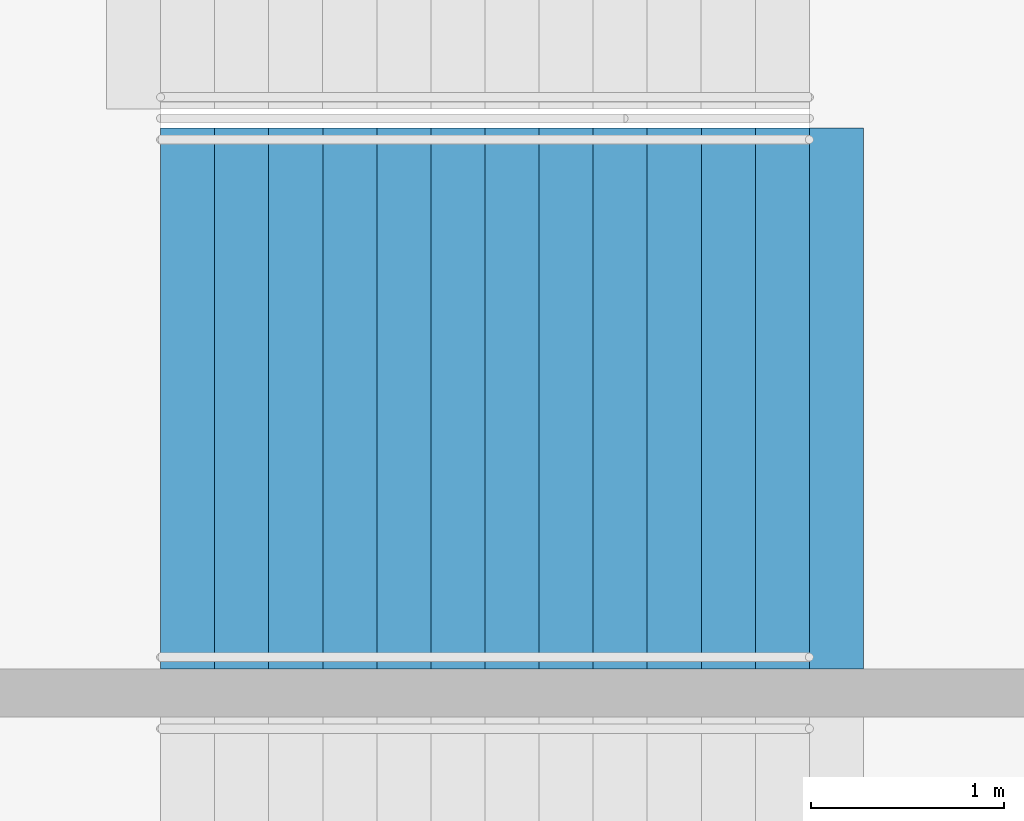
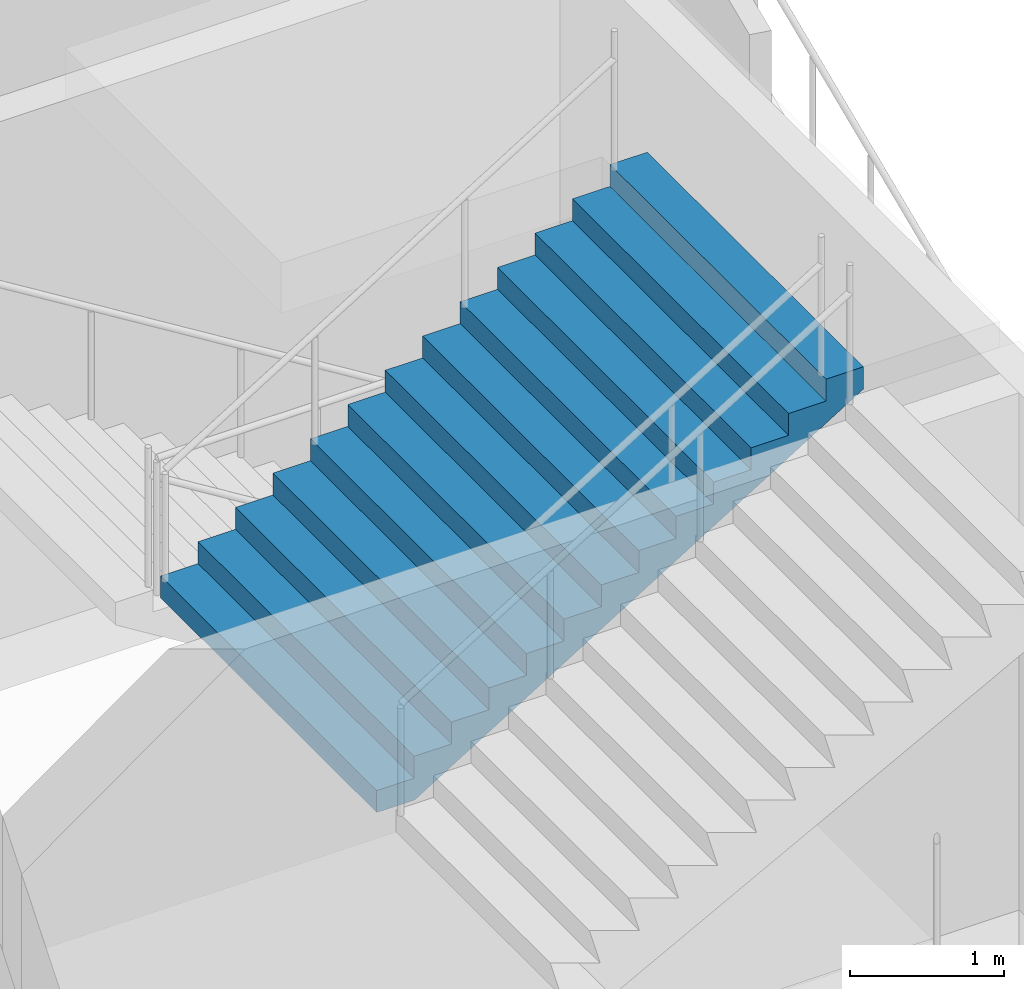
# One storey, part 134 of 177: 1 stair flight, 1 element without a shape of its own.
"""IFC4 building model written with IfcOpenShell, lengths in metres."""

from ifc_helpers import new_model, si_unit, direction, frame, origin, place, context, subcontext, project, spatial, faceted_brep, material, type_object, element, aggregate, save


model = new_model("IFC4")

# Units and contexts
model_context = context("Model", 3, precision=1e-05, world=origin(), true_north=direction((0.0, 1.0)))
body_context = subcontext(model_context, "Body", "Model", "MODEL_VIEW")
ifc_project = project(units=[si_unit("LENGTHUNIT", "METRE"), si_unit("AREAUNIT", "SQUARE_METRE"), si_unit("VOLUMEUNIT", "CUBIC_METRE"), si_unit("PLANEANGLEUNIT", "RADIAN"), si_unit("MASSUNIT", "GRAM", prefix="KILO")], contexts=[model_context])

# Site, building, storey
site_placement = place(None, origin())
site = spatial("IfcSite", under=ifc_project, at=site_placement, CompositionType="ELEMENT")
building_placement = place(site_placement, origin())
building = spatial("IfcBuilding", under=site, at=building_placement, Name="Ogive Plaza Stadium", CompositionType="ELEMENT")
storey_placement = place(building_placement, frame((0.0, 0.0, 18.0)))
storey = spatial("IfcBuildingStorey", under=building, at=storey_placement, Name="L04", CompositionType="ELEMENT", Elevation=18.0)

# Stair, stair flight
ifc_material_1 = material(Name="Concrete C40/50", Category="concrete")
stair_type = type_object("IfcStairType", Name="Exit stair", PredefinedType="STRAIGHT_RUN_STAIR", material=ifc_material_1)
stair_placement = place(storey_placement, origin())
stair = element("IfcStair", 1, at=stair_placement, inside=storey, type_object=stair_type, Name="Exit stair ST28A L04 to L05", PredefinedType="STRAIGHT_RUN_STAIR")
ifc_material_2 = material(Name="Concrete C40/50", Category="concrete")
stair_flight_type = type_object("IfcStairFlightType", Name="Exit stair flight", PredefinedType="STRAIGHT", material=ifc_material_2)
stair_flight_placement = place(storey_placement, frame((-79.7099609375, 54.02490234375, 2.25), z_axis=(0.0, 0.0, 1.0), x_axis=(1.0, 0.0, 0.0)))
stair_flight = element("IfcStairFlight", 2, at=stair_flight_placement, type_object=stair_flight_type, Name="ST28A flight 2", NumberOfRisers=13, NumberOfTreads=12, PredefinedType="STRAIGHT", RiserHeight=0.173076923, TreadLength=0.28, context=body_context, shape_type="Brep", body=[
    faceted_brep([(0.28515625, -1.39990234375, 0.0), (3.639892578125, -1.39990234375, 2.07373046875), (3.639892578125, -1.39990234375, 2.25), (3.360107421875, -1.39990234375, 2.25), (3.360107421875, -1.39990234375, 2.076904296875), (3.080078125, -1.39990234375, 2.076904296875), (3.080078125, -1.39990234375, 1.90380859375), (2.800048828125, -1.39990234375, 1.90380859375), (2.800048828125, -1.39990234375, 1.730712890625), (2.52001953125, -1.39990234375, 1.730712890625), (2.52001953125, -1.39990234375, 1.5576171875), (2.239990234375, -1.39990234375, 1.5576171875), (2.239990234375, -1.39990234375, 1.384521484375), (1.9599609375, -1.39990234375, 1.384521484375), (1.9599609375, -1.39990234375, 1.21142578125), (1.679931640625, -1.39990234375, 1.21142578125), (1.679931640625, -1.39990234375, 1.03857421875), (1.39990234375, -1.39990234375, 1.03857421875), (1.39990234375, -1.39990234375, 0.865478515625), (1.1201171875, -1.39990234375, 0.865478515625), (1.1201171875, -1.39990234375, 0.6923828125), (0.840087890625, -1.39990234375, 0.6923828125), (0.840087890625, -1.39990234375, 0.519287109375), (0.56005859375, -1.39990234375, 0.519287109375), (0.56005859375, -1.39990234375, 0.34619140625), (0.280029296875, -1.39990234375, 0.34619140625), (0.280029296875, -1.39990234375, 0.173095703125), (0.0, -1.39990234375, 0.173095703125), (0.0, -1.39990234375, 0.0), (0.0, 1.39990234375, 0.0), (0.0, 1.39990234375, 0.173095703125), (0.280029296875, 1.39990234375, 0.173095703125), (0.280029296875, 1.39990234375, 0.34619140625), (0.56005859375, 1.39990234375, 0.34619140625), (0.56005859375, 1.39990234375, 0.519287109375), (0.840087890625, 1.39990234375, 0.519287109375), (0.840087890625, 1.39990234375, 0.6923828125), (1.1201171875, 1.39990234375, 0.6923828125), (1.1201171875, 1.39990234375, 0.865478515625), (1.39990234375, 1.39990234375, 0.865478515625), (1.39990234375, 1.39990234375, 1.03857421875), (1.679931640625, 1.39990234375, 1.03857421875), (1.679931640625, 1.39990234375, 1.21142578125), (1.9599609375, 1.39990234375, 1.21142578125), (1.9599609375, 1.39990234375, 1.384521484375), (2.239990234375, 1.39990234375, 1.384521484375), (2.239990234375, 1.39990234375, 1.5576171875), (2.52001953125, 1.39990234375, 1.5576171875), (2.52001953125, 1.39990234375, 1.730712890625), (2.800048828125, 1.39990234375, 1.730712890625), (2.800048828125, 1.39990234375, 1.90380859375), (3.080078125, 1.39990234375, 1.90380859375), (3.080078125, 1.39990234375, 2.076904296875), (3.360107421875, 1.39990234375, 2.076904296875), (3.360107421875, 1.39990234375, 2.25), (3.639892578125, 1.39990234375, 2.25), (3.639892578125, 1.39990234375, 2.07373046875), (0.28515625, 1.39990234375, 0.0), (0.28515625, -1.0888671875, 0.0), (3.639892578125, -1.0888671875, 2.07373046875), (0.28515625, -0.77783203125, 0.0), (3.639892578125, -0.77783203125, 2.07373046875), (0.28515625, -0.466796875, 0.0), (3.639892578125, -0.466796875, 2.07373046875), (0.28515625, -0.155517578125, 0.0), (3.639892578125, -0.155517578125, 2.07373046875), (0.28515625, 0.155517578125, 0.0), (3.639892578125, 0.155517578125, 2.07373046875), (0.28515625, 0.466796875, 0.0), (3.639892578125, 0.466796875, 2.07373046875), (0.28515625, 0.77783203125, 0.0), (3.639892578125, 0.77783203125, 2.07373046875), (0.28515625, 1.0888671875, 0.0), (3.639892578125, 1.0888671875, 2.07373046875), (3.639892578125, -1.0888671875, 2.25), (3.639892578125, -0.77783203125, 2.25), (3.639892578125, -0.466796875, 2.25), (3.639892578125, -0.155517578125, 2.25), (3.639892578125, 0.155517578125, 2.25), (3.639892578125, 0.466796875, 2.25), (3.639892578125, 0.77783203125, 2.25), (3.639892578125, 1.0888671875, 2.25), (3.360107421875, -1.0888671875, 2.25), (3.360107421875, -0.77783203125, 2.25), (3.360107421875, -0.466796875, 2.25), (3.360107421875, -0.155517578125, 2.25), (3.360107421875, 0.155517578125, 2.25), (3.360107421875, 0.466796875, 2.25), (3.360107421875, 0.77783203125, 2.25), (3.360107421875, 1.0888671875, 2.25), (3.360107421875, -1.0888671875, 2.076904296875), (3.360107421875, -0.77783203125, 2.076904296875), (3.360107421875, -0.466796875, 2.076904296875), (3.360107421875, -0.155517578125, 2.076904296875), (3.360107421875, 0.155517578125, 2.076904296875), (3.360107421875, 0.466796875, 2.076904296875), (3.360107421875, 0.77783203125, 2.076904296875), (3.360107421875, 1.0888671875, 2.076904296875), (3.080078125, -1.0888671875, 2.076904296875), (3.080078125, -0.77783203125, 2.076904296875), (3.080078125, -0.466796875, 2.076904296875), (3.080078125, -0.155517578125, 2.076904296875), (3.080078125, 0.155517578125, 2.076904296875), (3.080078125, 0.466796875, 2.076904296875), (3.080078125, 0.77783203125, 2.076904296875), (3.080078125, 1.0888671875, 2.076904296875), (3.080078125, -1.0888671875, 1.90380859375), (3.080078125, -0.77783203125, 1.90380859375), (3.080078125, -0.466796875, 1.90380859375), (3.080078125, -0.155517578125, 1.90380859375), (3.080078125, 0.155517578125, 1.90380859375), (3.080078125, 0.466796875, 1.90380859375), (3.080078125, 0.77783203125, 1.90380859375), (3.080078125, 1.0888671875, 1.90380859375), (2.800048828125, -1.0888671875, 1.90380859375), (2.800048828125, -0.77783203125, 1.90380859375), (2.800048828125, -0.466796875, 1.90380859375), (2.800048828125, -0.155517578125, 1.90380859375), (2.800048828125, 0.155517578125, 1.90380859375), (2.800048828125, 0.466796875, 1.90380859375), (2.800048828125, 0.77783203125, 1.90380859375), (2.800048828125, 1.0888671875, 1.90380859375), (2.800048828125, -1.0888671875, 1.730712890625), (2.800048828125, -0.77783203125, 1.730712890625), (2.800048828125, -0.466796875, 1.730712890625), (2.800048828125, -0.155517578125, 1.730712890625), (2.800048828125, 0.155517578125, 1.730712890625), (2.800048828125, 0.466796875, 1.730712890625), (2.800048828125, 0.77783203125, 1.730712890625), (2.800048828125, 1.0888671875, 1.730712890625), (2.52001953125, -1.0888671875, 1.730712890625), (2.52001953125, -0.77783203125, 1.730712890625), (2.52001953125, -0.466796875, 1.730712890625), (2.52001953125, -0.155517578125, 1.730712890625), (2.52001953125, 0.155517578125, 1.730712890625), (2.52001953125, 0.466796875, 1.730712890625), (2.52001953125, 0.77783203125, 1.730712890625), (2.52001953125, 1.0888671875, 1.730712890625), (2.52001953125, -1.0888671875, 1.5576171875), (2.52001953125, -0.77783203125, 1.5576171875), (2.52001953125, -0.466796875, 1.5576171875), (2.52001953125, -0.155517578125, 1.5576171875), (2.52001953125, 0.155517578125, 1.5576171875), (2.52001953125, 0.466796875, 1.5576171875), (2.52001953125, 0.77783203125, 1.5576171875), (2.52001953125, 1.0888671875, 1.5576171875), (2.239990234375, -1.0888671875, 1.5576171875), (2.239990234375, -0.77783203125, 1.5576171875), (2.239990234375, -0.466796875, 1.5576171875), (2.239990234375, -0.155517578125, 1.5576171875), (2.239990234375, 0.155517578125, 1.5576171875), (2.239990234375, 0.466796875, 1.5576171875), (2.239990234375, 0.77783203125, 1.5576171875), (2.239990234375, 1.0888671875, 1.5576171875), (2.239990234375, -1.0888671875, 1.384521484375), (2.239990234375, -0.77783203125, 1.384521484375), (2.239990234375, -0.466796875, 1.384521484375), (2.239990234375, -0.155517578125, 1.384521484375), (2.239990234375, 0.155517578125, 1.384521484375), (2.239990234375, 0.466796875, 1.384521484375), (2.239990234375, 0.77783203125, 1.384521484375), (2.239990234375, 1.0888671875, 1.384521484375), (1.9599609375, -1.0888671875, 1.384521484375), (1.9599609375, -0.77783203125, 1.384521484375), (1.9599609375, -0.466796875, 1.384521484375), (1.9599609375, -0.155517578125, 1.384521484375), (1.9599609375, 0.155517578125, 1.384521484375), (1.9599609375, 0.466796875, 1.384521484375), (1.9599609375, 0.77783203125, 1.384521484375), (1.9599609375, 1.0888671875, 1.384521484375), (1.9599609375, -1.0888671875, 1.21142578125), (1.9599609375, -0.77783203125, 1.21142578125), (1.9599609375, -0.466796875, 1.21142578125), (1.9599609375, -0.155517578125, 1.21142578125), (1.9599609375, 0.155517578125, 1.21142578125), (1.9599609375, 0.466796875, 1.21142578125), (1.9599609375, 0.77783203125, 1.21142578125), (1.9599609375, 1.0888671875, 1.21142578125), (1.679931640625, -1.0888671875, 1.21142578125), (1.679931640625, -0.77783203125, 1.21142578125), (1.679931640625, -0.466796875, 1.21142578125), (1.679931640625, -0.155517578125, 1.21142578125), (1.679931640625, 0.155517578125, 1.21142578125), (1.679931640625, 0.466796875, 1.21142578125), (1.679931640625, 0.77783203125, 1.21142578125), (1.679931640625, 1.0888671875, 1.21142578125), (1.679931640625, -1.0888671875, 1.03857421875), (1.679931640625, -0.77783203125, 1.03857421875), (1.679931640625, -0.466796875, 1.03857421875), (1.679931640625, -0.155517578125, 1.03857421875), (1.679931640625, 0.155517578125, 1.03857421875), (1.679931640625, 0.466796875, 1.03857421875), (1.679931640625, 0.77783203125, 1.03857421875), (1.679931640625, 1.0888671875, 1.03857421875), (1.39990234375, -1.0888671875, 1.03857421875), (1.39990234375, -0.77783203125, 1.03857421875), (1.39990234375, -0.466796875, 1.03857421875), (1.39990234375, -0.155517578125, 1.03857421875), (1.39990234375, 0.155517578125, 1.03857421875), (1.39990234375, 0.466796875, 1.03857421875), (1.39990234375, 0.77783203125, 1.03857421875), (1.39990234375, 1.0888671875, 1.03857421875), (1.39990234375, -1.0888671875, 0.865478515625), (1.39990234375, -0.77783203125, 0.865478515625), (1.39990234375, -0.466796875, 0.865478515625), (1.39990234375, -0.155517578125, 0.865478515625), (1.39990234375, 0.155517578125, 0.865478515625), (1.39990234375, 0.466796875, 0.865478515625), (1.39990234375, 0.77783203125, 0.865478515625), (1.39990234375, 1.0888671875, 0.865478515625), (1.1201171875, -1.0888671875, 0.865478515625), (1.1201171875, -0.77783203125, 0.865478515625), (1.1201171875, -0.466796875, 0.865478515625), (1.1201171875, -0.155517578125, 0.865478515625), (1.1201171875, 0.155517578125, 0.865478515625), (1.1201171875, 0.466796875, 0.865478515625), (1.1201171875, 0.77783203125, 0.865478515625), (1.1201171875, 1.0888671875, 0.865478515625), (1.1201171875, -1.0888671875, 0.6923828125), (1.1201171875, -0.77783203125, 0.6923828125), (1.1201171875, -0.466796875, 0.6923828125), (1.1201171875, -0.155517578125, 0.6923828125), (1.1201171875, 0.155517578125, 0.6923828125), (1.1201171875, 0.466796875, 0.6923828125), (1.1201171875, 0.77783203125, 0.6923828125), (1.1201171875, 1.0888671875, 0.6923828125), (0.840087890625, -1.0888671875, 0.6923828125), (0.840087890625, -0.77783203125, 0.6923828125), (0.840087890625, -0.466796875, 0.6923828125), (0.840087890625, -0.155517578125, 0.6923828125), (0.840087890625, 0.155517578125, 0.6923828125), (0.840087890625, 0.466796875, 0.6923828125), (0.840087890625, 0.77783203125, 0.6923828125), (0.840087890625, 1.0888671875, 0.6923828125), (0.840087890625, -1.0888671875, 0.519287109375), (0.840087890625, -0.77783203125, 0.519287109375), (0.840087890625, -0.466796875, 0.519287109375), (0.840087890625, -0.155517578125, 0.519287109375), (0.840087890625, 0.155517578125, 0.519287109375), (0.840087890625, 0.466796875, 0.519287109375), (0.840087890625, 0.77783203125, 0.519287109375), (0.840087890625, 1.0888671875, 0.519287109375), (0.56005859375, -1.0888671875, 0.519287109375), (0.56005859375, -0.77783203125, 0.519287109375), (0.56005859375, -0.466796875, 0.519287109375), (0.56005859375, -0.155517578125, 0.519287109375), (0.56005859375, 0.155517578125, 0.519287109375), (0.56005859375, 0.466796875, 0.519287109375), (0.56005859375, 0.77783203125, 0.519287109375), (0.56005859375, 1.0888671875, 0.519287109375), (0.56005859375, -1.0888671875, 0.34619140625), (0.56005859375, -0.77783203125, 0.34619140625), (0.56005859375, -0.466796875, 0.34619140625), (0.56005859375, -0.155517578125, 0.34619140625), (0.56005859375, 0.155517578125, 0.34619140625), (0.56005859375, 0.466796875, 0.34619140625), (0.56005859375, 0.77783203125, 0.34619140625), (0.56005859375, 1.0888671875, 0.34619140625), (0.280029296875, -1.0888671875, 0.34619140625), (0.280029296875, -0.77783203125, 0.34619140625), (0.280029296875, -0.466796875, 0.34619140625), (0.280029296875, -0.155517578125, 0.34619140625), (0.280029296875, 0.155517578125, 0.34619140625), (0.280029296875, 0.466796875, 0.34619140625), (0.280029296875, 0.77783203125, 0.34619140625), (0.280029296875, 1.0888671875, 0.34619140625), (0.280029296875, -1.0888671875, 0.173095703125), (0.280029296875, -0.77783203125, 0.173095703125), (0.280029296875, -0.466796875, 0.173095703125), (0.280029296875, -0.155517578125, 0.173095703125), (0.280029296875, 0.155517578125, 0.173095703125), (0.280029296875, 0.466796875, 0.173095703125), (0.280029296875, 0.77783203125, 0.173095703125), (0.280029296875, 1.0888671875, 0.173095703125), (0.0, -1.0888671875, 0.173095703125), (0.0, -0.77783203125, 0.173095703125), (0.0, -0.466796875, 0.173095703125), (0.0, -0.155517578125, 0.173095703125), (0.0, 0.155517578125, 0.173095703125), (0.0, 0.466796875, 0.173095703125), (0.0, 0.77783203125, 0.173095703125), (0.0, 1.0888671875, 0.173095703125), (0.0, -1.0888671875, 0.0), (0.0, -0.77783203125, 0.0), (0.0, -0.466796875, 0.0), (0.0, -0.155517578125, 0.0), (0.0, 0.155517578125, 0.0), (0.0, 0.466796875, 0.0), (0.0, 0.77783203125, 0.0), (0.0, 1.0888671875, 0.0)], [[[0, 1, 2, 3, 4, 5, 6, 7, 8, 9, 10, 11, 12, 13, 14, 15, 16, 17, 18, 19, 20, 21, 22, 23, 24, 25, 26, 27, 28]], [[29, 30, 31, 32, 33, 34, 35, 36, 37, 38, 39, 40, 41, 42, 43, 44, 45, 46, 47, 48, 49, 50, 51, 52, 53, 54, 55, 56, 57]], [[0, 58, 59, 1]], [[58, 60, 61, 59]], [[60, 62, 63, 61]], [[62, 64, 65, 63]], [[64, 66, 67, 65]], [[66, 68, 69, 67]], [[68, 70, 71, 69]], [[70, 72, 73, 71]], [[72, 57, 56, 73]], [[1, 59, 74, 2]], [[59, 61, 75, 74]], [[61, 63, 76, 75]], [[63, 65, 77, 76]], [[65, 67, 78, 77]], [[67, 69, 79, 78]], [[69, 71, 80, 79]], [[71, 73, 81, 80]], [[73, 56, 55, 81]], [[2, 74, 82, 3]], [[74, 75, 83, 82]], [[75, 76, 84, 83]], [[76, 77, 85, 84]], [[77, 78, 86, 85]], [[78, 79, 87, 86]], [[79, 80, 88, 87]], [[80, 81, 89, 88]], [[81, 55, 54, 89]], [[3, 82, 90, 4]], [[82, 83, 91, 90]], [[83, 84, 92, 91]], [[84, 85, 93, 92]], [[85, 86, 94, 93]], [[86, 87, 95, 94]], [[87, 88, 96, 95]], [[88, 89, 97, 96]], [[89, 54, 53, 97]], [[4, 90, 98, 5]], [[90, 91, 99, 98]], [[91, 92, 100, 99]], [[92, 93, 101, 100]], [[93, 94, 102, 101]], [[94, 95, 103, 102]], [[95, 96, 104, 103]], [[96, 97, 105, 104]], [[97, 53, 52, 105]], [[5, 98, 106, 6]], [[98, 99, 107, 106]], [[99, 100, 108, 107]], [[100, 101, 109, 108]], [[101, 102, 110, 109]], [[102, 103, 111, 110]], [[103, 104, 112, 111]], [[104, 105, 113, 112]], [[105, 52, 51, 113]], [[6, 106, 114, 7]], [[106, 107, 115, 114]], [[107, 108, 116, 115]], [[108, 109, 117, 116]], [[109, 110, 118, 117]], [[110, 111, 119, 118]], [[111, 112, 120, 119]], [[112, 113, 121, 120]], [[113, 51, 50, 121]], [[7, 114, 122, 8]], [[114, 115, 123, 122]], [[115, 116, 124, 123]], [[116, 117, 125, 124]], [[117, 118, 126, 125]], [[118, 119, 127, 126]], [[119, 120, 128, 127]], [[120, 121, 129, 128]], [[121, 50, 49, 129]], [[8, 122, 130, 9]], [[122, 123, 131, 130]], [[123, 124, 132, 131]], [[124, 125, 133, 132]], [[125, 126, 134, 133]], [[126, 127, 135, 134]], [[127, 128, 136, 135]], [[128, 129, 137, 136]], [[129, 49, 48, 137]], [[9, 130, 138, 10]], [[130, 131, 139, 138]], [[131, 132, 140, 139]], [[132, 133, 141, 140]], [[133, 134, 142, 141]], [[134, 135, 143, 142]], [[135, 136, 144, 143]], [[136, 137, 145, 144]], [[137, 48, 47, 145]], [[10, 138, 146, 11]], [[138, 139, 147, 146]], [[139, 140, 148, 147]], [[140, 141, 149, 148]], [[141, 142, 150, 149]], [[142, 143, 151, 150]], [[143, 144, 152, 151]], [[144, 145, 153, 152]], [[145, 47, 46, 153]], [[11, 146, 154, 12]], [[146, 147, 155, 154]], [[147, 148, 156, 155]], [[148, 149, 157, 156]], [[149, 150, 158, 157]], [[150, 151, 159, 158]], [[151, 152, 160, 159]], [[152, 153, 161, 160]], [[153, 46, 45, 161]], [[12, 154, 162, 13]], [[154, 155, 163, 162]], [[155, 156, 164, 163]], [[156, 157, 165, 164]], [[157, 158, 166, 165]], [[158, 159, 167, 166]], [[159, 160, 168, 167]], [[160, 161, 169, 168]], [[161, 45, 44, 169]], [[13, 162, 170, 14]], [[162, 163, 171, 170]], [[163, 164, 172, 171]], [[164, 165, 173, 172]], [[165, 166, 174, 173]], [[166, 167, 175, 174]], [[167, 168, 176, 175]], [[168, 169, 177, 176]], [[169, 44, 43, 177]], [[14, 170, 178, 15]], [[170, 171, 179, 178]], [[171, 172, 180, 179]], [[172, 173, 181, 180]], [[173, 174, 182, 181]], [[174, 175, 183, 182]], [[175, 176, 184, 183]], [[176, 177, 185, 184]], [[177, 43, 42, 185]], [[15, 178, 186, 16]], [[178, 179, 187, 186]], [[179, 180, 188, 187]], [[180, 181, 189, 188]], [[181, 182, 190, 189]], [[182, 183, 191, 190]], [[183, 184, 192, 191]], [[184, 185, 193, 192]], [[185, 42, 41, 193]], [[16, 186, 194, 17]], [[186, 187, 195, 194]], [[187, 188, 196, 195]], [[188, 189, 197, 196]], [[189, 190, 198, 197]], [[190, 191, 199, 198]], [[191, 192, 200, 199]], [[192, 193, 201, 200]], [[193, 41, 40, 201]], [[17, 194, 202, 18]], [[194, 195, 203, 202]], [[195, 196, 204, 203]], [[196, 197, 205, 204]], [[197, 198, 206, 205]], [[198, 199, 207, 206]], [[199, 200, 208, 207]], [[200, 201, 209, 208]], [[201, 40, 39, 209]], [[18, 202, 210, 19]], [[202, 203, 211, 210]], [[203, 204, 212, 211]], [[204, 205, 213, 212]], [[205, 206, 214, 213]], [[206, 207, 215, 214]], [[207, 208, 216, 215]], [[208, 209, 217, 216]], [[209, 39, 38, 217]], [[19, 210, 218, 20]], [[210, 211, 219, 218]], [[211, 212, 220, 219]], [[212, 213, 221, 220]], [[213, 214, 222, 221]], [[214, 215, 223, 222]], [[215, 216, 224, 223]], [[216, 217, 225, 224]], [[217, 38, 37, 225]], [[20, 218, 226, 21]], [[218, 219, 227, 226]], [[219, 220, 228, 227]], [[220, 221, 229, 228]], [[221, 222, 230, 229]], [[222, 223, 231, 230]], [[223, 224, 232, 231]], [[224, 225, 233, 232]], [[225, 37, 36, 233]], [[21, 226, 234, 22]], [[226, 227, 235, 234]], [[227, 228, 236, 235]], [[228, 229, 237, 236]], [[229, 230, 238, 237]], [[230, 231, 239, 238]], [[231, 232, 240, 239]], [[232, 233, 241, 240]], [[233, 36, 35, 241]], [[22, 234, 242, 23]], [[234, 235, 243, 242]], [[235, 236, 244, 243]], [[236, 237, 245, 244]], [[237, 238, 246, 245]], [[238, 239, 247, 246]], [[239, 240, 248, 247]], [[240, 241, 249, 248]], [[241, 35, 34, 249]], [[23, 242, 250, 24]], [[242, 243, 251, 250]], [[243, 244, 252, 251]], [[244, 245, 253, 252]], [[245, 246, 254, 253]], [[246, 247, 255, 254]], [[247, 248, 256, 255]], [[248, 249, 257, 256]], [[249, 34, 33, 257]], [[24, 250, 258, 25]], [[250, 251, 259, 258]], [[251, 252, 260, 259]], [[252, 253, 261, 260]], [[253, 254, 262, 261]], [[254, 255, 263, 262]], [[255, 256, 264, 263]], [[256, 257, 265, 264]], [[257, 33, 32, 265]], [[25, 258, 266, 26]], [[258, 259, 267, 266]], [[259, 260, 268, 267]], [[260, 261, 269, 268]], [[261, 262, 270, 269]], [[262, 263, 271, 270]], [[263, 264, 272, 271]], [[264, 265, 273, 272]], [[265, 32, 31, 273]], [[26, 266, 274, 27]], [[266, 267, 275, 274]], [[267, 268, 276, 275]], [[268, 269, 277, 276]], [[269, 270, 278, 277]], [[270, 271, 279, 278]], [[271, 272, 280, 279]], [[272, 273, 281, 280]], [[273, 31, 30, 281]], [[27, 274, 282, 28]], [[274, 275, 283, 282]], [[275, 276, 284, 283]], [[276, 277, 285, 284]], [[277, 278, 286, 285]], [[278, 279, 287, 286]], [[279, 280, 288, 287]], [[280, 281, 289, 288]], [[281, 30, 29, 289]], [[28, 282, 58, 0]], [[282, 283, 60, 58]], [[283, 284, 62, 60]], [[284, 285, 64, 62]], [[285, 286, 66, 64]], [[286, 287, 68, 66]], [[287, 288, 70, 68]], [[288, 289, 72, 70]], [[289, 29, 57, 72]]]),
])
aggregate(stair, [stair_flight])

save(model, "model.ifc")
